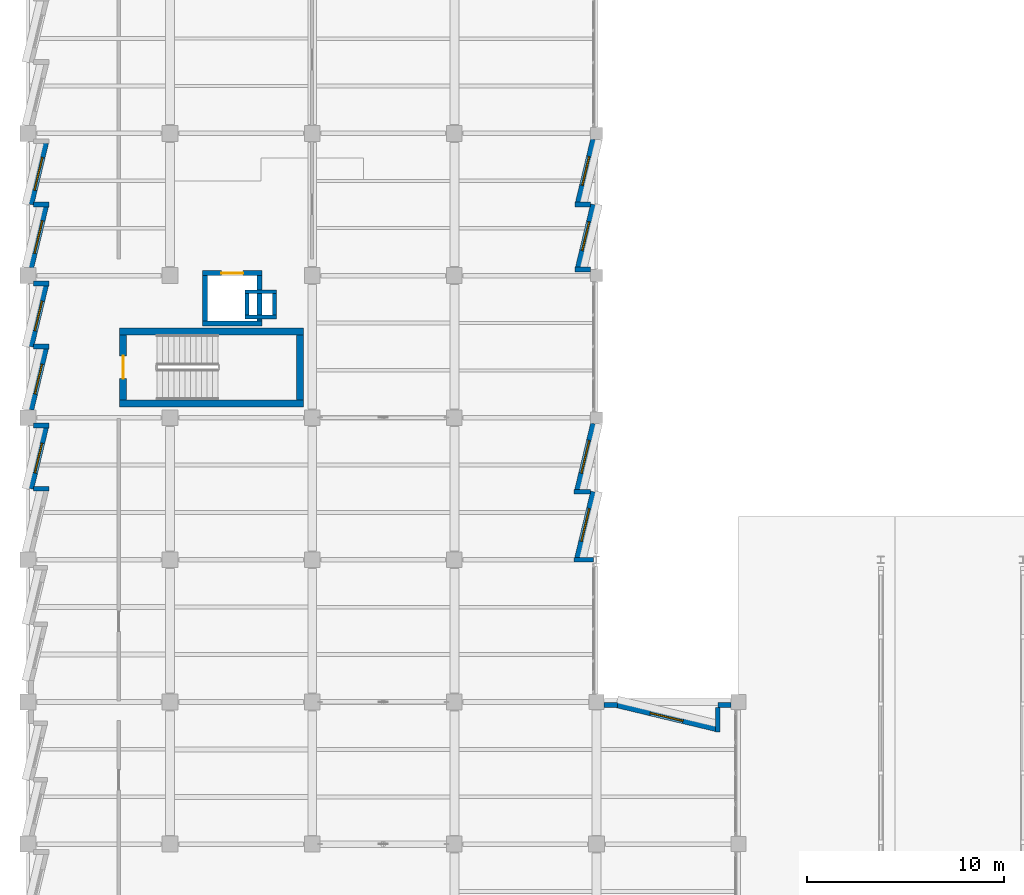
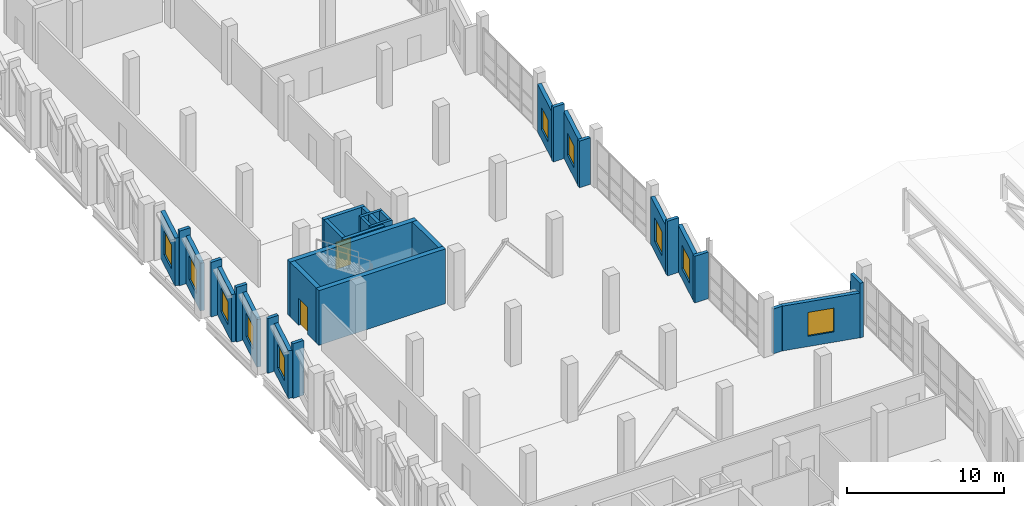
# One storey, part 91 of 123: 34 walls, 10 windows, 2 doors, 12 openings.
"""IFC4 building model written with IfcOpenShell, lengths in metres."""

from ifc_helpers import new_model, si_unit, direction, frame, frame_2d, origin, place, context, subcontext, project, spatial, rectangle, extrude, material, layer, layer_set, type_object, element, fill, save


model = new_model("IFC4")

# Units and contexts
model_context = context("Model", 3, precision=1e-05, world=origin(), true_north=direction((0.0, 1.0)))
body_context = subcontext(model_context, "Body", "Model", "MODEL_VIEW")
ifc_project = project(units=[si_unit("LENGTHUNIT", "METRE"), si_unit("AREAUNIT", "SQUARE_METRE"), si_unit("VOLUMEUNIT", "CUBIC_METRE"), si_unit("PLANEANGLEUNIT", "RADIAN"), si_unit("MASSUNIT", "GRAM", prefix="KILO")], contexts=[model_context])

# Site, building, storey
site_placement = place(None, origin())
site = spatial("IfcSite", under=ifc_project, at=site_placement, CompositionType="ELEMENT")
building_placement = place(site_placement, origin())
building = spatial("IfcBuilding", under=site, at=building_placement, Name="Kalmorath City Hall", CompositionType="ELEMENT")
storey_placement = place(building_placement, frame((0.0, 0.0, 10.199951171875)))
storey = spatial("IfcBuildingStorey", under=building, at=storey_placement, Name="L02", CompositionType="ELEMENT", Elevation=10.199951171875)

# Walls
ifc_material_1 = material(Name="Concrete C50/60", Category="concrete")
ifc_layer_1 = layer(ifc_material_1, 0.35009765625)
ifc_layer_set_1 = layer_set([ifc_layer_1], Name="Concrete C50/60")
wall_type_1 = type_object("IfcWallType", Name="Concrete core shear wall 350", PredefinedType="SHEAR", material=ifc_layer_set_1)
for number, where, z_axis, x_axis, name in (
    (1, (4.64990234375, 51.125, 0.0), (0.0, 0.0, 1.0), (1.0, 0.0, 0.0), "L02 C3 stair core shear wall S"),
    (2, (13.949951171875, 54.77490234375, 0.0), (0.0, 0.0, 1.0), (-1.0, 0.0, 0.0), "L02 C3 stair core shear wall N"),
):
    element("IfcWall", number, at=place(storey_placement, frame(where, z_axis=z_axis, x_axis=x_axis)), inside=storey, type_object=wall_type_1, Name=name, PredefinedType="SHEAR", context=body_context, shape_type="SweptSolid", body=[
        extrude(rectangle(XDim=9.300048828125, YDim=0.35009765625, at=frame_2d((4.64990234375, 0.0))), origin(), (0.0, 0.0, 1.0), 4.239990234375),
    ])

# Wall, opening, door
wall_1_placement = place(storey_placement, frame((4.824951171875, 54.60009765625, 0.0), z_axis=(0.0, 0.0, 1.0), x_axis=(0.0, -1.0, 0.0)))
wall_1 = element("IfcWall", 3, at=wall_1_placement, inside=storey, type_object=wall_type_1, Name="L02 C3 stair core shear wall W", PredefinedType="SHEAR", context=body_context, shape_type="SweptSolid", body=[
    extrude(rectangle(XDim=3.300048828125, YDim=0.35009765625, at=frame_2d((1.64990234375, 0.0))), origin(), (0.0, 0.0, 1.0), 4.239990234375),
])
opening_1_placement = place(wall_1_placement, frame((1.074951171875, 0.0, 0.0)))
opening_1 = element("IfcOpeningElement", 4, at=opening_1_placement, cuts=wall_1, Name="Opening D-L02-067", PredefinedType="OPENING", context=body_context, shape_type="SweptSolid", body=[
    extrude(rectangle(XDim=1.14990234375, YDim=2.10009765625, at=frame_2d((0.574951171875, 1.050048828125))), frame((0.0, 0.18505859375, 0.0), z_axis=(0.0, -1.0, 0.0), x_axis=(1.0, 0.0, 0.0)), (0.0, 0.0, 1.0), 0.3701171875),
])
ifc_material_2 = material(Name="Galvanised steel fire door", Category="steel")
door_type_1 = type_object("IfcDoorType", Name="Stair enclosure 90-min fire door 1150x2100", OperationType="NOTDEFINED", PredefinedType="DOOR", material=ifc_material_2)
door_1_placement = place(opening_1_placement, frame((1.14990234375, 0.0, 0.0), z_axis=(0.0, 0.0, 1.0), x_axis=(-1.0, 0.0, 0.0)))
door_1 = element("IfcDoor", 5, at=door_1_placement, inside=storey, type_object=door_type_1, Name="L02 door D-L02-067", OperationType="SINGLE_SWING_LEFT", OverallHeight=2.10009765625, OverallWidth=1.14990234375, PredefinedType="DOOR", context=body_context, shape_type="SweptSolid", body=[
    extrude(rectangle(XDim=1.14990234375, YDim=2.10009765625, at=frame_2d((0.574951171875, 1.050048828125))), frame((0.0, 0.02490234375, 0.0), z_axis=(0.0, -1.0, 0.0), x_axis=(1.0, 0.0, 0.0)), (0.0, 0.0, 1.0), 0.050048828125),
])
fill(opening_1, door_1)

# Walls
wall_2_placement = place(storey_placement, frame((13.77490234375, 51.300048828125, 0.0), z_axis=(0.0, 0.0, 1.0), x_axis=(0.0, 1.0, 0.0)))
element("IfcWall", 6, at=wall_2_placement, inside=storey, type_object=wall_type_1, Name="L02 C3 stair core shear wall E", PredefinedType="SHEAR", context=body_context, shape_type="SweptSolid", body=[
    extrude(rectangle(XDim=3.300048828125, YDim=0.35009765625, at=frame_2d((1.64990234375, 0.0))), origin(), (0.0, 0.0, 1.0), 4.239990234375),
])
ifc_material_3 = material(Name="Concrete C50/60", Category="concrete")
ifc_layer_2 = layer(ifc_material_3, 0.25)
ifc_layer_set_2 = layer_set([ifc_layer_2], Name="Concrete C50/60")
wall_type_2 = type_object("IfcWallType", Name="Concrete lift shaft wall 250", PredefinedType="SHEAR", material=ifc_layer_set_2)
wall_3_placement = place(storey_placement, frame((8.85009765625, 55.175048828125, 0.0), z_axis=(0.0, 0.0, 1.0), x_axis=(1.0, 0.0, 0.0)))
element("IfcWall", 7, at=wall_3_placement, inside=storey, type_object=wall_type_2, Name="L02 PL4 lift shaft wall -y", PredefinedType="SHEAR", context=body_context, shape_type="SweptSolid", body=[
    extrude(rectangle(XDim=3.0, YDim=0.25, at=frame_2d((1.5, 0.0))), origin(), (0.0, 0.0, 1.0), 4.239990234375),
])

# Wall, opening, door
wall_4_placement = place(storey_placement, frame((11.85009765625, 57.72509765625, 0.0), z_axis=(0.0, 0.0, 1.0), x_axis=(-1.0, 0.0, 0.0)))
wall_4 = element("IfcWall", 8, at=wall_4_placement, inside=storey, type_object=wall_type_2, Name="L02 PL4 lift shaft wall +y", PredefinedType="SHEAR", context=body_context, shape_type="SweptSolid", body=[
    extrude(rectangle(XDim=3.0, YDim=0.25, at=frame_2d((1.5, 0.0))), origin(), (0.0, 0.0, 1.0), 4.239990234375),
])
opening_2_placement = place(wall_4_placement, frame((0.949951171875, 0.0, 0.0)))
opening_2 = element("IfcOpeningElement", 9, at=opening_2_placement, cuts=wall_4, Name="Opening LD-075", PredefinedType="OPENING", context=body_context, shape_type="SweptSolid", body=[
    extrude(rectangle(XDim=1.10009765625, YDim=2.10009765625, at=frame_2d((0.550048828125, 1.050048828125))), frame((0.0, 0.135009765625, 0.0), z_axis=(0.0, -1.0, 0.0), x_axis=(1.0, 0.0, 0.0)), (0.0, 0.0, 1.0), 0.27001953125),
])
ifc_material_4 = material(Name="Stainless steel sliding landing door", Category="steel")
door_type_2 = type_object("IfcDoorType", Name="Passenger lift sliding landing door 1100x2100", OperationType="SLIDING_TO_LEFT", PredefinedType="DOOR", material=ifc_material_4)
door_2_placement = place(opening_2_placement, origin())
door_2 = element("IfcDoor", 10, at=door_2_placement, inside=storey, type_object=door_type_2, Name="L02 door LD-075", OperationType="SLIDING_TO_LEFT", OverallHeight=2.10009765625, OverallWidth=1.10009765625, PredefinedType="DOOR", context=body_context, shape_type="SweptSolid", body=[
    extrude(rectangle(XDim=1.10009765625, YDim=2.10009765625, at=frame_2d((0.550048828125, 1.050048828125))), frame((0.0, 0.02490234375, 0.0), z_axis=(0.0, -1.0, 0.0), x_axis=(1.0, 0.0, 0.0)), (0.0, 0.0, 1.0), 0.050048828125),
])
fill(opening_2, door_2)

# Walls
for number, where, z_axis, x_axis, name in (
    (11, (8.97509765625, 57.60009765625, 0.0), (0.0, 0.0, 1.0), (0.0, -1.0, 0.0), "L02 PL4 lift shaft wall -x"),
    (12, (11.72509765625, 55.300048828125, 0.0), (0.0, 0.0, 1.0), (0.0, 1.0, 0.0), "L02 PL4 lift shaft wall +x"),
):
    element("IfcWall", number, at=place(storey_placement, frame(where, z_axis=z_axis, x_axis=x_axis)), inside=storey, type_object=wall_type_2, Name=name, PredefinedType="SHEAR", context=body_context, shape_type="SweptSolid", body=[
        extrude(rectangle(XDim=2.300048828125, YDim=0.25, at=frame_2d((1.14990234375, 0.0))), origin(), (0.0, 0.0, 1.0), 4.239990234375),
    ])
ifc_material_5 = material(Name="Concrete C40/50", Category="concrete")
ifc_layer_3 = layer(ifc_material_5, 0.199951171875)
ifc_layer_set_3 = layer_set([ifc_layer_3], Name="Concrete C40/50")
wall_type_3 = type_object("IfcWallType", Name="Concrete service riser wall 200", PredefinedType="SOLIDWALL", material=ifc_layer_set_3)
for number, where, z_axis, x_axis, name in (
    (13, (11.0, 55.5, 0.0), (0.0, 0.0, 1.0), (1.0, 0.0, 0.0), "L02 RSR-2 riser shaft wall S"),
    (14, (12.60009765625, 56.780029296875, 0.0), (0.0, 0.0, 1.0), (-1.0, 0.0, 0.0), "L02 RSR-2 riser shaft wall N"),
):
    element("IfcWall", number, at=place(storey_placement, frame(where, z_axis=z_axis, x_axis=x_axis)), inside=storey, type_object=wall_type_3, Name=name, PredefinedType="SOLIDWALL", context=body_context, shape_type="SweptSolid", body=[
        extrude(rectangle(XDim=1.60009765625, YDim=0.199951171875, at=frame_2d((0.800048828125, 0.0))), origin(), (0.0, 0.0, 1.0), 4.239990234375),
    ])
for number, where, z_axis, x_axis, name in (
    (15, (11.10009765625, 56.679931640625, 0.0), (0.0, 0.0, 1.0), (0.0, -1.0, 0.0), "L02 RSR-2 riser shaft wall W"),
    (16, (12.5, 55.60009765625, 0.0), (0.0, 0.0, 1.0), (0.0, 1.0, 0.0), "L02 RSR-2 riser shaft wall E"),
):
    element("IfcWall", number, at=place(storey_placement, frame(where, z_axis=z_axis, x_axis=x_axis)), inside=storey, type_object=wall_type_3, Name=name, PredefinedType="SOLIDWALL", context=body_context, shape_type="SweptSolid", body=[
        extrude(rectangle(XDim=1.079833984375, YDim=0.199951171875, at=frame_2d((0.5400390625, 0.0))), origin(), (0.0, 0.0, 1.0), 4.239990234375),
    ])
ifc_material_6 = material(Name="Precast concrete C40/50", Category="concrete")
ifc_layer_4 = layer(ifc_material_6, 0.239990234375)
ifc_layer_set_4 = layer_set([ifc_layer_4], Name="Precast concrete C40/50")
wall_type_4 = type_object("IfcWallType", Name="Precast sawtooth cheek wall 240", PredefinedType="SOLIDWALL", material=ifc_layer_set_4)
for number, where, z_axis, x_axis, name in (
    (17, (1.072998046875, 46.800048828125, 0.0), (0.0, 0.0, 1.0), (-1.0, 0.0, 0.0), "L02 sawtooth return cheek #374"),
    (18, (1.072998046875, 49.9990234375, 0.0), (0.0, 0.0, 1.0), (-1.0, 0.0, 0.0), "L02 sawtooth return cheek #376"),
    (19, (1.072998046875, 54.0, 0.0), (0.0, 0.0, 1.0), (-1.0, 0.0, 0.0), "L02 sawtooth return cheek #378"),
    (20, (1.072998046875, 57.198974609375, 0.0), (0.0, 0.0, 1.0), (-1.0, 0.0, 0.0), "L02 sawtooth return cheek #380"),
    (21, (1.072998046875, 61.199951171875, 0.0), (0.0, 0.0, 1.0), (-1.0, 0.0, 0.0), "L02 sawtooth return cheek #382"),
):
    element("IfcWall", number, at=place(storey_placement, frame(where, z_axis=z_axis, x_axis=x_axis)), inside=storey, type_object=wall_type_4, Name=name, PredefinedType="SOLIDWALL", context=body_context, shape_type="SweptSolid", body=[
        extrude(rectangle(XDim=0.781005859375, YDim=0.239990234375, at=frame_2d((0.390625, 0.0))), origin(), (0.0, 0.0, 1.0), 4.239990234375),
    ])
wall_5_placement = place(storey_placement, frame((27.702880859375, 61.199951171875, 0.0), z_axis=(0.0, 0.0, 1.0), x_axis=(1.0, 0.0, 0.0)))
element("IfcWall", 22, at=wall_5_placement, inside=storey, type_object=wall_type_4, Name="L02 sawtooth return cheek #487", PredefinedType="SOLIDWALL", context=body_context, shape_type="SweptSolid", body=[
    extrude(rectangle(XDim=0.80517578125, YDim=0.239990234375, at=frame_2d((0.402587890625, 0.0))), origin(), (0.0, 0.0, 1.0), 4.239990234375),
])
wall_6_placement = place(storey_placement, frame((27.702880859375, 57.90087890625, 0.0), z_axis=(0.0, 0.0, 1.0), x_axis=(1.0, 0.0, 0.0)))
element("IfcWall", 23, at=wall_6_placement, inside=storey, type_object=wall_type_4, Name="L02 sawtooth return cheek #489", PredefinedType="SOLIDWALL", context=body_context, shape_type="SweptSolid", body=[
    extrude(rectangle(XDim=0.80517578125, YDim=0.239990234375, at=frame_2d((0.402587890625, 0.0))), origin(), (0.0, 0.0, 1.0), 3.6181640625),
])
wall_7_placement = place(storey_placement, frame((27.666748046875, 46.6494140625, 0.0), z_axis=(0.0, 0.0, 1.0), x_axis=(1.0, 0.0, 0.0)))
element("IfcWall", 24, at=wall_7_placement, inside=storey, type_object=wall_type_4, Name="L02 sawtooth return cheek #491", PredefinedType="SOLIDWALL", context=body_context, shape_type="SweptSolid", body=[
    extrude(rectangle(XDim=0.84130859375, YDim=0.239990234375, at=frame_2d((0.420654296875, 0.0))), origin(), (0.0, 0.0, 1.0), 4.239990234375),
])
wall_8_placement = place(storey_placement, frame((27.666748046875, 43.199951171875, 0.0), z_axis=(0.0, 0.0, 1.0), x_axis=(1.0, 0.0, 0.0)))
element("IfcWall", 25, at=wall_8_placement, inside=storey, type_object=wall_type_4, Name="L02 sawtooth return cheek #493", PredefinedType="SOLIDWALL", context=body_context, shape_type="SweptSolid", body=[
    extrude(rectangle(XDim=0.9931640625, YDim=0.239990234375, at=frame_2d((0.49658203125, 0.0))), origin(), (0.0, 0.0, 1.0), 3.6181640625),
])
wall_9_placement = place(storey_placement, frame((34.944091796875, 34.473388671875, 0.0), z_axis=(0.0, 0.0, 1.0), x_axis=(0.0, 1.0, 0.0)))
element("IfcWall", 26, at=wall_9_placement, inside=storey, type_object=wall_type_4, Name="L02 sawtooth return cheek #497", PredefinedType="SOLIDWALL", context=body_context, shape_type="SweptSolid", body=[
    extrude(rectangle(XDim=1.24462890625, YDim=0.239990234375, at=frame_2d((0.622314453125, 0.0))), origin(), (0.0, 0.0, 1.0), 4.239990234375),
])

# Wall, opening, window
ifc_material_7 = material(Name="Precast concrete C40/50", Category="concrete")
ifc_layer_5 = layer(ifc_material_7, 0.280029296875)
ifc_layer_set_5 = layer_set([ifc_layer_5], Name="Precast concrete C40/50")
wall_type_5 = type_object("IfcWallType", Name="Precast sawtooth facade wall 280", PredefinedType="SOLIDWALL", material=ifc_layer_set_5)
wall_10_placement = place(storey_placement, frame((0.159912109375, 46.800048828125, 0.0), z_axis=(0.0, 0.0, 1.0), x_axis=(0.233462551123, 0.972365793939, 0.0)))
wall_10 = element("IfcWall", 27, at=wall_10_placement, inside=storey, type_object=wall_type_5, Name="L02 sawtooth precast frame #375", PredefinedType="SOLIDWALL", context=body_context, shape_type="SweptSolid", body=[
    extrude(rectangle(XDim=3.19482421875, YDim=0.280029296875, at=frame_2d((1.597412109375, 0.0))), origin(), (0.0, 0.0, 1.0), 3.696044921875),
])
opening_3_placement = place(wall_10_placement, frame((0.822509765625, 0.0, 0.800048828125)))
opening_3 = element("IfcOpeningElement", 28, at=opening_3_placement, cuts=wall_10, Name="Opening WN5", PredefinedType="OPENING", context=body_context, shape_type="SweptSolid", body=[
    extrude(rectangle(XDim=1.550048828125, YDim=1.800048828125, at=frame_2d((0.77490234375, 0.89990234375))), frame((0.0, 0.14990234375, 0.0), z_axis=(0.0, -1.0, 0.0), x_axis=(1.0, 0.0, 0.0)), (0.0, 0.0, 1.0), 0.300048828125),
])
ifc_material_8 = material(Name="Aluminium and laminated glass", Category="aluminium")
window_type_1 = type_object("IfcWindowType", Name="Sawtooth corner bay window 1550x1800", PartitioningType="SINGLE_PANEL", PredefinedType="WINDOW", material=ifc_material_8)
window_1_placement = place(opening_3_placement, origin())
window_1 = element("IfcWindow", 29, at=window_1_placement, inside=storey, type_object=window_type_1, Name="L02 window WN5-180", OverallHeight=1.800048828125, OverallWidth=1.550048828125, PartitioningType="SINGLE_PANEL", PredefinedType="WINDOW", context=body_context, shape_type="SweptSolid", body=[
    extrude(rectangle(XDim=1.550048828125, YDim=1.800048828125, at=frame_2d((0.77490234375, 0.89990234375))), frame((0.0, 0.030029296875, 0.0), z_axis=(0.0, -1.0, 0.0), x_axis=(1.0, 0.0, 0.0)), (0.0, 0.0, 1.0), 0.06005859375),
])
fill(opening_3, window_1)

wall_11_placement = place(storey_placement, frame((0.159912109375, 50.801025390625, 0.0), z_axis=(0.0, 0.0, 1.0), x_axis=(0.233445204235, 0.972369958719, 0.0)))
wall_11 = element("IfcWall", 30, at=wall_11_placement, inside=storey, type_object=wall_type_5, Name="L02 sawtooth precast frame #377", PredefinedType="SOLIDWALL", context=body_context, shape_type="SweptSolid", body=[
    extrude(rectangle(XDim=3.195068359375, YDim=0.280029296875, at=frame_2d((1.59765625, 0.0))), origin(), (0.0, 0.0, 1.0), 3.696044921875),
])
opening_4_placement = place(wall_11_placement, frame((0.822509765625, 0.0, 0.800048828125)))
opening_4 = element("IfcOpeningElement", 31, at=opening_4_placement, cuts=wall_11, Name="Opening WN5", PredefinedType="OPENING", context=body_context, shape_type="SweptSolid", body=[
    extrude(rectangle(XDim=1.550048828125, YDim=1.800048828125, at=frame_2d((0.77490234375, 0.89990234375))), frame((0.0, 0.14990234375, 0.0), z_axis=(0.0, -1.0, 0.0), x_axis=(1.0, 0.0, 0.0)), (0.0, 0.0, 1.0), 0.300048828125),
])
window_2_placement = place(opening_4_placement, origin())
window_2 = element("IfcWindow", 32, at=window_2_placement, inside=storey, type_object=window_type_1, Name="L02 window WN5-181", OverallHeight=1.800048828125, OverallWidth=1.550048828125, PartitioningType="SINGLE_PANEL", PredefinedType="WINDOW", context=body_context, shape_type="SweptSolid", body=[
    extrude(rectangle(XDim=1.550048828125, YDim=1.800048828125, at=frame_2d((0.77490234375, 0.89990234375))), frame((0.0, 0.030029296875, 0.0), z_axis=(0.0, -1.0, 0.0), x_axis=(1.0, 0.0, 0.0)), (0.0, 0.0, 1.0), 0.06005859375),
])
fill(opening_4, window_2)

wall_12_placement = place(storey_placement, frame((0.159912109375, 54.0, 0.0), z_axis=(0.0, 0.0, 1.0), x_axis=(0.233445204235, 0.972369958719, 0.0)))
wall_12 = element("IfcWall", 33, at=wall_12_placement, inside=storey, type_object=wall_type_5, Name="L02 sawtooth precast frame #379", PredefinedType="SOLIDWALL", context=body_context, shape_type="SweptSolid", body=[
    extrude(rectangle(XDim=3.195068359375, YDim=0.280029296875, at=frame_2d((1.59765625, 0.0))), origin(), (0.0, 0.0, 1.0), 3.696044921875),
])
opening_5_placement = place(wall_12_placement, frame((0.822509765625, 0.0, 0.800048828125)))
opening_5 = element("IfcOpeningElement", 34, at=opening_5_placement, cuts=wall_12, Name="Opening WN5", PredefinedType="OPENING", context=body_context, shape_type="SweptSolid", body=[
    extrude(rectangle(XDim=1.550048828125, YDim=1.800048828125, at=frame_2d((0.77490234375, 0.89990234375))), frame((0.0, 0.14990234375, 0.0), z_axis=(0.0, -1.0, 0.0), x_axis=(1.0, 0.0, 0.0)), (0.0, 0.0, 1.0), 0.300048828125),
])
window_3_placement = place(opening_5_placement, origin())
window_3 = element("IfcWindow", 35, at=window_3_placement, inside=storey, type_object=window_type_1, Name="L02 window WN5-182", OverallHeight=1.800048828125, OverallWidth=1.550048828125, PartitioningType="SINGLE_PANEL", PredefinedType="WINDOW", context=body_context, shape_type="SweptSolid", body=[
    extrude(rectangle(XDim=1.550048828125, YDim=1.800048828125, at=frame_2d((0.77490234375, 0.89990234375))), frame((0.0, 0.030029296875, 0.0), z_axis=(0.0, -1.0, 0.0), x_axis=(1.0, 0.0, 0.0)), (0.0, 0.0, 1.0), 0.06005859375),
])
fill(opening_5, window_3)

wall_13_placement = place(storey_placement, frame((0.159912109375, 58.0009765625, 0.0), z_axis=(0.0, 0.0, 1.0), x_axis=(0.233445204235, 0.972369958719, 0.0)))
wall_13 = element("IfcWall", 36, at=wall_13_placement, inside=storey, type_object=wall_type_5, Name="L02 sawtooth precast frame #381", PredefinedType="SOLIDWALL", context=body_context, shape_type="SweptSolid", body=[
    extrude(rectangle(XDim=3.195068359375, YDim=0.280029296875, at=frame_2d((1.59765625, 0.0))), origin(), (0.0, 0.0, 1.0), 3.696044921875),
])
opening_6_placement = place(wall_13_placement, frame((0.747314453125, 0.0, 0.800048828125)))
opening_6 = element("IfcOpeningElement", 37, at=opening_6_placement, cuts=wall_13, Name="Opening WN6", PredefinedType="OPENING", context=body_context, shape_type="SweptSolid", body=[
    extrude(rectangle(XDim=1.699951171875, YDim=1.85009765625, at=frame_2d((0.85009765625, 0.925048828125))), frame((0.0, 0.14990234375, 0.0), z_axis=(0.0, -1.0, 0.0), x_axis=(1.0, 0.0, 0.0)), (0.0, 0.0, 1.0), 0.300048828125),
])
ifc_material_9 = material(Name="Aluminium and laminated glass", Category="aluminium")
window_type_2 = type_object("IfcWindowType", Name="Sawtooth west wing window 1700x1850", PartitioningType="SINGLE_PANEL", PredefinedType="WINDOW", material=ifc_material_9)
window_4_placement = place(opening_6_placement, origin())
window_4 = element("IfcWindow", 38, at=window_4_placement, inside=storey, type_object=window_type_2, Name="L02 window WN6-183", OverallHeight=1.85009765625, OverallWidth=1.699951171875, PartitioningType="SINGLE_PANEL", PredefinedType="WINDOW", context=body_context, shape_type="SweptSolid", body=[
    extrude(rectangle(XDim=1.699951171875, YDim=1.85009765625, at=frame_2d((0.85009765625, 0.925048828125))), frame((0.0, 0.030029296875, 0.0), z_axis=(0.0, -1.0, 0.0), x_axis=(1.0, 0.0, 0.0)), (0.0, 0.0, 1.0), 0.06005859375),
])
fill(opening_6, window_4)

wall_14_placement = place(storey_placement, frame((0.159912109375, 61.199951171875, 0.0), z_axis=(0.0, 0.0, 1.0), x_axis=(0.233445204235, 0.972369958719, 0.0)))
wall_14 = element("IfcWall", 39, at=wall_14_placement, inside=storey, type_object=wall_type_5, Name="L02 sawtooth precast frame #383", PredefinedType="SOLIDWALL", context=body_context, shape_type="SweptSolid", body=[
    extrude(rectangle(XDim=3.195068359375, YDim=0.280029296875, at=frame_2d((1.59765625, 0.0))), origin(), (0.0, 0.0, 1.0), 3.696044921875),
])
opening_7_placement = place(wall_14_placement, frame((0.747314453125, 0.0, 0.800048828125)))
opening_7 = element("IfcOpeningElement", 40, at=opening_7_placement, cuts=wall_14, Name="Opening WN6", PredefinedType="OPENING", context=body_context, shape_type="SweptSolid", body=[
    extrude(rectangle(XDim=1.699951171875, YDim=1.85009765625, at=frame_2d((0.85009765625, 0.925048828125))), frame((0.0, 0.14990234375, 0.0), z_axis=(0.0, -1.0, 0.0), x_axis=(1.0, 0.0, 0.0)), (0.0, 0.0, 1.0), 0.300048828125),
])
window_5_placement = place(opening_7_placement, origin())
window_5 = element("IfcWindow", 41, at=window_5_placement, inside=storey, type_object=window_type_2, Name="L02 window WN6-184", OverallHeight=1.85009765625, OverallWidth=1.699951171875, PartitioningType="SINGLE_PANEL", PredefinedType="WINDOW", context=body_context, shape_type="SweptSolid", body=[
    extrude(rectangle(XDim=1.699951171875, YDim=1.85009765625, at=frame_2d((0.85009765625, 0.925048828125))), frame((0.0, 0.030029296875, 0.0), z_axis=(0.0, -1.0, 0.0), x_axis=(1.0, 0.0, 0.0)), (0.0, 0.0, 1.0), 0.06005859375),
])
fill(opening_7, window_5)

wall_15_placement = place(storey_placement, frame((28.639892578125, 64.4990234375, 0.0), z_axis=(0.0, 0.0, 1.0), x_axis=(-0.23343175428, -0.972373187667, 0.0)))
wall_15 = element("IfcWall", 42, at=wall_15_placement, inside=storey, type_object=wall_type_5, Name="L02 sawtooth precast frame #486", PredefinedType="SOLIDWALL", context=body_context, shape_type="SweptSolid", body=[
    extrude(rectangle(XDim=3.297607421875, YDim=0.280029296875, at=frame_2d((1.64892578125, 0.0))), origin(), (0.0, 0.0, 1.0), 3.696044921875),
])
opening_8_placement = place(wall_15_placement, frame((0.89892578125, 0.0, 0.800048828125)))
opening_8 = element("IfcOpeningElement", 43, at=opening_8_placement, cuts=wall_15, Name="Opening WN7", PredefinedType="OPENING", context=body_context, shape_type="SweptSolid", body=[
    extrude(rectangle(XDim=1.5, YDim=1.699951171875, at=frame_2d((0.75, 0.85009765625))), frame((0.0, 0.14990234375, 0.0), z_axis=(0.0, -1.0, 0.0), x_axis=(1.0, 0.0, 0.0)), (0.0, 0.0, 1.0), 0.300048828125),
])
ifc_material_10 = material(Name="Aluminium and laminated glass", Category="aluminium")
window_type_3 = type_object("IfcWindowType", Name="Sawtooth top storey window 1500x1700", PartitioningType="SINGLE_PANEL", PredefinedType="WINDOW", material=ifc_material_10)
window_6_placement = place(opening_8_placement, origin())
window_6 = element("IfcWindow", 44, at=window_6_placement, inside=storey, type_object=window_type_3, Name="L02 window WN7-256", OverallHeight=1.699951171875, OverallWidth=1.5, PartitioningType="SINGLE_PANEL", PredefinedType="WINDOW", context=body_context, shape_type="SweptSolid", body=[
    extrude(rectangle(XDim=1.5, YDim=1.699951171875, at=frame_2d((0.75, 0.85009765625))), frame((0.0, 0.030029296875, 0.0), z_axis=(0.0, -1.0, 0.0), x_axis=(1.0, 0.0, 0.0)), (0.0, 0.0, 1.0), 0.06005859375),
])
fill(opening_8, window_6)

wall_16_placement = place(storey_placement, frame((28.639892578125, 61.199951171875, 0.0), z_axis=(0.0, 0.0, 1.0), x_axis=(-0.23343175428, -0.972373187667, 0.0)))
wall_16 = element("IfcWall", 45, at=wall_16_placement, inside=storey, type_object=wall_type_5, Name="L02 sawtooth precast frame #488", PredefinedType="SOLIDWALL", context=body_context, shape_type="SweptSolid", body=[
    extrude(rectangle(XDim=3.297607421875, YDim=0.280029296875, at=frame_2d((1.64892578125, 0.0))), origin(), (0.0, 0.0, 1.0), 3.6181640625),
])
opening_9_placement = place(wall_16_placement, frame((0.89892578125, 0.0, 0.800048828125)))
opening_9 = element("IfcOpeningElement", 46, at=opening_9_placement, cuts=wall_16, Name="Opening WN7", PredefinedType="OPENING", context=body_context, shape_type="SweptSolid", body=[
    extrude(rectangle(XDim=1.5, YDim=1.699951171875, at=frame_2d((0.75, 0.85009765625))), frame((0.0, 0.14990234375, 0.0), z_axis=(0.0, -1.0, 0.0), x_axis=(1.0, 0.0, 0.0)), (0.0, 0.0, 1.0), 0.300048828125),
])
window_7_placement = place(opening_9_placement, origin())
window_7 = element("IfcWindow", 47, at=window_7_placement, inside=storey, type_object=window_type_3, Name="L02 window WN7-257", OverallHeight=1.699951171875, OverallWidth=1.5, PartitioningType="SINGLE_PANEL", PredefinedType="WINDOW", context=body_context, shape_type="SweptSolid", body=[
    extrude(rectangle(XDim=1.5, YDim=1.699951171875, at=frame_2d((0.75, 0.85009765625))), frame((0.0, 0.030029296875, 0.0), z_axis=(0.0, -1.0, 0.0), x_axis=(1.0, 0.0, 0.0)), (0.0, 0.0, 1.0), 0.06005859375),
])
fill(opening_9, window_7)

wall_17_placement = place(storey_placement, frame((28.639892578125, 50.09912109375, 0.0), z_axis=(0.0, 0.0, 1.0), x_axis=(-0.23342376713, -0.972375105059, 0.0)))
wall_17 = element("IfcWall", 48, at=wall_17_placement, inside=storey, type_object=wall_type_5, Name="L02 sawtooth precast frame #490", PredefinedType="SOLIDWALL", context=body_context, shape_type="SweptSolid", body=[
    extrude(rectangle(XDim=3.45263671875, YDim=0.280029296875, at=frame_2d((1.726318359375, 0.0))), origin(), (0.0, 0.0, 1.0), 3.696044921875),
])
opening_10_placement = place(wall_17_placement, frame((0.876220703125, 0.0, 0.800048828125)))
opening_10 = element("IfcOpeningElement", 49, at=opening_10_placement, cuts=wall_17, Name="Opening WN6", PredefinedType="OPENING", context=body_context, shape_type="SweptSolid", body=[
    extrude(rectangle(XDim=1.699951171875, YDim=1.85009765625, at=frame_2d((0.85009765625, 0.925048828125))), frame((0.0, 0.14990234375, 0.0), z_axis=(0.0, -1.0, 0.0), x_axis=(1.0, 0.0, 0.0)), (0.0, 0.0, 1.0), 0.300048828125),
])
window_8_placement = place(opening_10_placement, origin())
window_8 = element("IfcWindow", 50, at=window_8_placement, inside=storey, type_object=window_type_2, Name="L02 window WN6-258", OverallHeight=1.85009765625, OverallWidth=1.699951171875, PartitioningType="SINGLE_PANEL", PredefinedType="WINDOW", context=body_context, shape_type="SweptSolid", body=[
    extrude(rectangle(XDim=1.699951171875, YDim=1.85009765625, at=frame_2d((0.85009765625, 0.925048828125))), frame((0.0, 0.030029296875, 0.0), z_axis=(0.0, -1.0, 0.0), x_axis=(1.0, 0.0, 0.0)), (0.0, 0.0, 1.0), 0.06005859375),
])
fill(opening_10, window_8)

wall_18_placement = place(storey_placement, frame((28.639892578125, 46.6494140625, 0.0), z_axis=(0.0, 0.0, 1.0), x_axis=(-0.233439818328, -0.972371251744, 0.0)))
wall_18 = element("IfcWall", 51, at=wall_18_placement, inside=storey, type_object=wall_type_5, Name="L02 sawtooth precast frame #492", PredefinedType="SOLIDWALL", context=body_context, shape_type="SweptSolid", body=[
    extrude(rectangle(XDim=3.452392578125, YDim=0.280029296875, at=frame_2d((1.72607421875, 0.0))), origin(), (0.0, 0.0, 1.0), 3.6181640625),
])
opening_11_placement = place(wall_18_placement, frame((0.876220703125, 0.0, 0.800048828125)))
opening_11 = element("IfcOpeningElement", 52, at=opening_11_placement, cuts=wall_18, Name="Opening WN6", PredefinedType="OPENING", context=body_context, shape_type="SweptSolid", body=[
    extrude(rectangle(XDim=1.699951171875, YDim=1.85009765625, at=frame_2d((0.85009765625, 0.925048828125))), frame((0.0, 0.14990234375, 0.0), z_axis=(0.0, -1.0, 0.0), x_axis=(1.0, 0.0, 0.0)), (0.0, 0.0, 1.0), 0.300048828125),
])
window_9_placement = place(opening_11_placement, origin())
window_9 = element("IfcWindow", 53, at=window_9_placement, inside=storey, type_object=window_type_2, Name="L02 window WN6-259", OverallHeight=1.85009765625, OverallWidth=1.699951171875, PartitioningType="SINGLE_PANEL", PredefinedType="WINDOW", context=body_context, shape_type="SweptSolid", body=[
    extrude(rectangle(XDim=1.699951171875, YDim=1.85009765625, at=frame_2d((0.85009765625, 0.925048828125))), frame((0.0, 0.030029296875, 0.0), z_axis=(0.0, -1.0, 0.0), x_axis=(1.0, 0.0, 0.0)), (0.0, 0.0, 1.0), 0.06005859375),
])
fill(opening_11, window_9)

wall_19_placement = place(storey_placement, frame((29.85595703125, 35.840087890625, 0.0), z_axis=(0.0, 0.0, 1.0), x_axis=(0.972364435713, -0.233468208028, 0.0)))
wall_19 = element("IfcWall", 54, at=wall_19_placement, inside=storey, type_object=wall_type_5, Name="L02 sawtooth precast frame #496", PredefinedType="SOLIDWALL", context=body_context, shape_type="SweptSolid", body=[
    extrude(rectangle(XDim=5.1376953125, YDim=0.280029296875, at=frame_2d((2.56884765625, 0.0))), origin(), (0.0, 0.0, 1.0), 3.470947265625),
])
opening_12_placement = place(wall_19_placement, frame((1.71875, 0.0, 0.800048828125)))
opening_12 = element("IfcOpeningElement", 55, at=opening_12_placement, cuts=wall_19, Name="Opening WN6", PredefinedType="OPENING", context=body_context, shape_type="SweptSolid", body=[
    extrude(rectangle(XDim=1.699951171875, YDim=1.85009765625, at=frame_2d((0.85009765625, 0.925048828125))), frame((0.0, 0.14990234375, 0.0), z_axis=(0.0, -1.0, 0.0), x_axis=(1.0, 0.0, 0.0)), (0.0, 0.0, 1.0), 0.300048828125),
])
window_10_placement = place(opening_12_placement, origin())
window_10 = element("IfcWindow", 56, at=window_10_placement, inside=storey, type_object=window_type_2, Name="L02 window WN6-260", OverallHeight=1.85009765625, OverallWidth=1.699951171875, PartitioningType="SINGLE_PANEL", PredefinedType="WINDOW", context=body_context, shape_type="SweptSolid", body=[
    extrude(rectangle(XDim=1.699951171875, YDim=1.85009765625, at=frame_2d((0.85009765625, 0.925048828125))), frame((0.0, 0.030029296875, 0.0), z_axis=(0.0, -1.0, 0.0), x_axis=(1.0, 0.0, 0.0)), (0.0, 0.0, 1.0), 0.06005859375),
])
fill(opening_12, window_10)

# Walls
ifc_material_11 = material(Name="Precast concrete C40/50", Category="concrete")
ifc_layer_6 = layer(ifc_material_11, 0.260009765625)
ifc_layer_set_6 = layer_set([ifc_layer_6], Name="Precast concrete C40/50")
wall_type_6 = type_object("IfcWallType", Name="Precast sawtooth return wall 260", PredefinedType="SOLIDWALL", material=ifc_layer_set_6)
for number, where, z_axis, x_axis, name in (
    (57, (29.176025390625, 35.840087890625, 0.0), (0.0, 0.0, 1.0), (1.0, 0.0, 0.0), "L02 corner pier wall #494"),
    (58, (34.944091796875, 35.840087890625, 0.0), (0.0, 0.0, 1.0), (1.0, 0.0, 0.0), "L02 corner pier wall #495"),
):
    element("IfcWall", number, at=place(storey_placement, frame(where, z_axis=z_axis, x_axis=x_axis)), inside=storey, type_object=wall_type_6, Name=name, PredefinedType="SOLIDWALL", context=body_context, shape_type="SweptSolid", body=[
        extrude(rectangle(XDim=0.679931640625, YDim=0.260009765625, at=frame_2d((0.33984375, 0.0))), origin(), (0.0, 0.0, 1.0), 3.470947265625),
    ])

save(model, "model.ifc")
